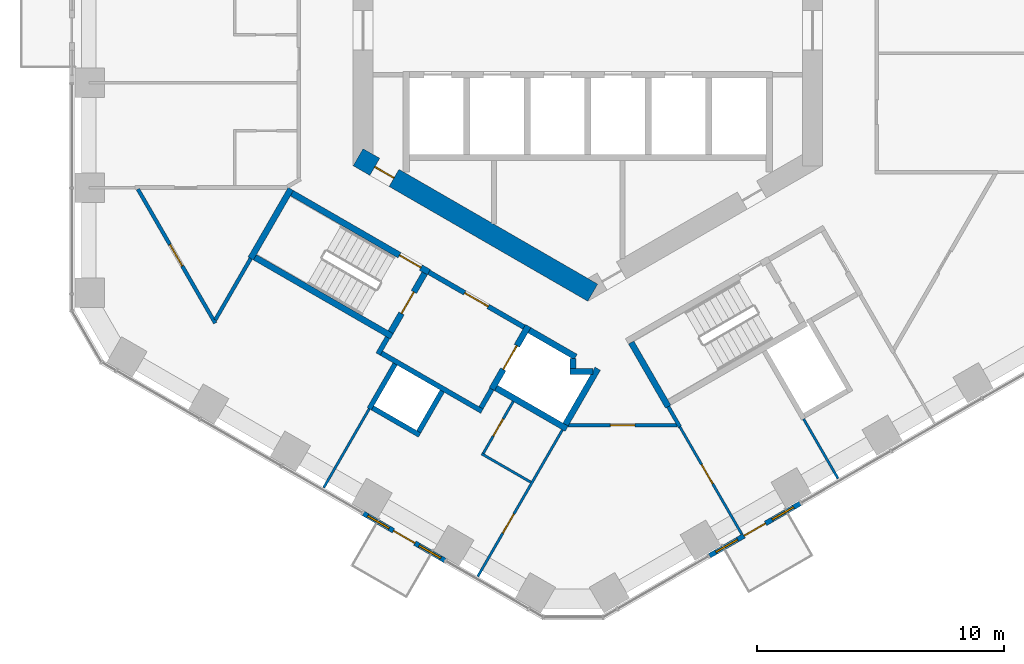
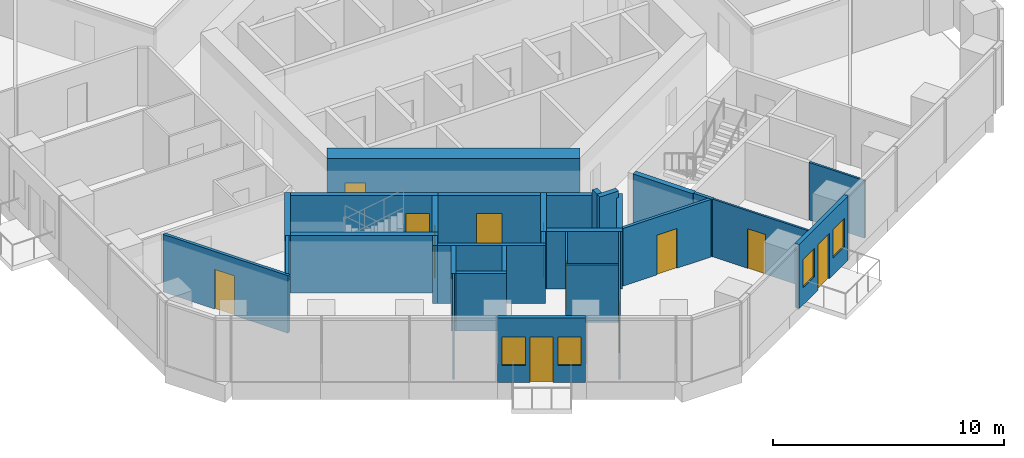
# One storey, part 13 of 20: 31 walls, 12 doors, 4 windows, 16 openings.
"""IFC4 building model written with IfcOpenShell, lengths in metres."""

from ifc_helpers import new_model, si_unit, direction, frame, frame_2d, origin, place, context, subcontext, project, spatial, rectangle, extrude, material, layer, layer_set, type_object, element, fill, save


model = new_model("IFC4")

# Units and contexts
model_context = context("Model", 3, precision=1e-05, world=origin(), true_north=direction((0.0, 1.0)))
body_context = subcontext(model_context, "Body", "Model", "MODEL_VIEW")
ifc_project = project(units=[si_unit("LENGTHUNIT", "METRE"), si_unit("AREAUNIT", "SQUARE_METRE"), si_unit("VOLUMEUNIT", "CUBIC_METRE"), si_unit("PLANEANGLEUNIT", "RADIAN"), si_unit("MASSUNIT", "GRAM", prefix="KILO")], contexts=[model_context])

# Site, building, storey
site_placement = place(None, origin())
site = spatial("IfcSite", under=ifc_project, at=site_placement, CompositionType="ELEMENT")
building_placement = place(site_placement, origin())
building = spatial("IfcBuilding", under=site, at=building_placement, Name="Ayvan Gate Tower", CompositionType="ELEMENT")
storey_placement = place(building_placement, frame((0.0, 0.0, 59.5)))
storey = spatial("IfcBuildingStorey", under=building, at=storey_placement, Name="L15", CompositionType="ELEMENT", Elevation=59.5)

# Wall, openings, door, windows
ifc_material_1 = material(Name="Insulated metal panel wall")
ifc_layer_1 = layer(ifc_material_1, 0.199951171875)
ifc_layer_set_1 = layer_set([ifc_layer_1], Name="Insulated metal panel wall")
wall_type_1 = type_object("IfcWallType", Name="Balcony door wall 200", PredefinedType="SOLIDWALL", material=ifc_layer_set_1)
wall_1_placement = place(storey_placement, frame((-9.088134765625, -19.561279296875, 0.0), z_axis=(0.0, 0.0, 1.0), x_axis=(0.866035482435, -0.49998254286, 0.0)))
wall_1 = element("IfcWall", 1, at=wall_1_placement, inside=storey, type_object=wall_type_1, Name="EW:L15:4:3", PredefinedType="SOLIDWALL", context=body_context, shape_type="SweptSolid", body=[
    extrude(rectangle(XDim=3.819091796875, YDim=0.199951171875, at=frame_2d((1.90966796875, 0.0))), origin(), (0.0, 0.0, 1.0), 3.39990234375),
])
opening_1_placement = place(wall_1_placement, frame((1.409423828125, 0.0, 0.0)))
opening_1 = element("IfcOpeningElement", 2, at=opening_1_placement, cuts=wall_1, Name="Opening L15-D94", PredefinedType="OPENING", context=body_context, shape_type="SweptSolid", body=[
    extrude(rectangle(XDim=1.0, YDim=2.39990234375, at=frame_2d((0.5, 1.199951171875))), frame((0.0, 0.10986328125, 0.0), z_axis=(0.0, -1.0, 0.0), x_axis=(1.0, 0.0, 0.0)), (0.0, 0.0, 1.0), 0.219970703125),
])
opening_2_placement = place(wall_1_placement, frame((0.204833984375, 0.0, 0.89990234375)))
opening_2 = element("IfcOpeningElement", 3, at=opening_2_placement, cuts=wall_1, Name="Opening W-B1", PredefinedType="OPENING", context=body_context, shape_type="SweptSolid", body=[
    extrude(rectangle(XDim=1.0, YDim=1.5, at=frame_2d((0.5, 0.75))), frame((0.0, 0.10986328125, 0.0), z_axis=(0.0, -1.0, 0.0), x_axis=(1.0, 0.0, 0.0)), (0.0, 0.0, 1.0), 0.219970703125),
])
opening_3_placement = place(wall_1_placement, frame((2.6142578125, 0.0, 0.89990234375)))
opening_3 = element("IfcOpeningElement", 4, at=opening_3_placement, cuts=wall_1, Name="Opening W-B1", PredefinedType="OPENING", context=body_context, shape_type="SweptSolid", body=[
    extrude(rectangle(XDim=1.0, YDim=1.5, at=frame_2d((0.5, 0.75))), frame((0.0, 0.10986328125, 0.0), z_axis=(0.0, -1.0, 0.0), x_axis=(1.0, 0.0, 0.0)), (0.0, 0.0, 1.0), 0.219970703125),
])
ifc_material_2 = material(Name="Bronze anodised aluminium and clear glass", Category="aluminium")
door_type_1 = type_object("IfcDoorType", Name="Balcony door D-B", OperationType="SINGLE_SWING_RIGHT", PredefinedType="DOOR", material=ifc_material_2)
door_1_placement = place(opening_1_placement, origin())
door_1 = element("IfcDoor", 5, at=door_1_placement, inside=storey, type_object=door_type_1, Name="Balcony door BAL-L15-4", OperationType="SINGLE_SWING_RIGHT", OverallHeight=2.39990234375, OverallWidth=1.0, PredefinedType="DOOR", context=body_context, shape_type="SweptSolid", body=[
    extrude(rectangle(XDim=1.0, YDim=2.39990234375, at=frame_2d((0.5, 1.199951171875))), frame((0.0, 0.02490234375, 0.0), z_axis=(0.0, -1.0, 0.0), x_axis=(1.0, 0.0, 0.0)), (0.0, 0.0, 1.0), 0.050048828125),
])
fill(opening_1, door_1)
window_type = type_object("IfcWindowType", Name="Balcony side light W-B Z1", PartitioningType="SINGLE_PANEL", PredefinedType="WINDOW", material=ifc_material_2)
window_1_placement = place(opening_2_placement, origin())
window_1 = element("IfcWindow", 6, at=window_1_placement, inside=storey, type_object=window_type, Name="Balcony side light BAL-L15-4.1", OverallHeight=1.5, OverallWidth=1.0, PartitioningType="SINGLE_PANEL", PredefinedType="WINDOW", context=body_context, shape_type="SweptSolid", body=[
    extrude(rectangle(XDim=1.0, YDim=1.5, at=frame_2d((0.5, 0.75))), frame((0.0, 0.030029296875, 0.0), z_axis=(0.0, -1.0, 0.0), x_axis=(1.0, 0.0, 0.0)), (0.0, 0.0, 1.0), 0.06005859375),
])
fill(opening_2, window_1)
window_2_placement = place(opening_3_placement, origin())
window_2 = element("IfcWindow", 7, at=window_2_placement, inside=storey, type_object=window_type, Name="Balcony side light BAL-L15-4.2", OverallHeight=1.5, OverallWidth=1.0, PartitioningType="SINGLE_PANEL", PredefinedType="WINDOW", context=body_context, shape_type="SweptSolid", body=[
    extrude(rectangle(XDim=1.0, YDim=1.5, at=frame_2d((0.5, 0.75))), frame((0.0, 0.030029296875, 0.0), z_axis=(0.0, -1.0, 0.0), x_axis=(1.0, 0.0, 0.0)), (0.0, 0.0, 1.0), 0.06005859375),
])
fill(opening_3, window_2)

wall_2_placement = place(storey_placement, frame((4.923095703125, -21.280517578125, 0.0), z_axis=(0.0, 0.0, 1.0), x_axis=(0.866036396571, 0.499980959452, 0.0)))
wall_2 = element("IfcWall", 8, at=wall_2_placement, inside=storey, type_object=wall_type_1, Name="EW:L15:5:1", PredefinedType="SOLIDWALL", context=body_context, shape_type="SweptSolid", body=[
    extrude(rectangle(XDim=4.251220703125, YDim=0.199951171875, at=frame_2d((2.12548828125, 0.0))), origin(), (0.0, 0.0, 1.0), 3.39990234375),
])
opening_4_placement = place(wall_2_placement, frame((1.62548828125, 0.0, 0.0)))
opening_4 = element("IfcOpeningElement", 9, at=opening_4_placement, cuts=wall_2, Name="Opening L15-D95", PredefinedType="OPENING", context=body_context, shape_type="SweptSolid", body=[
    extrude(rectangle(XDim=1.0, YDim=2.39990234375, at=frame_2d((0.5, 1.199951171875))), frame((0.0, 0.10986328125, 0.0), z_axis=(0.0, -1.0, 0.0), x_axis=(1.0, 0.0, 0.0)), (0.0, 0.0, 1.0), 0.219970703125),
])
opening_5_placement = place(wall_2_placement, frame((0.312744140625, 0.0, 0.89990234375)))
opening_5 = element("IfcOpeningElement", 10, at=opening_5_placement, cuts=wall_2, Name="Opening W-B1", PredefinedType="OPENING", context=body_context, shape_type="SweptSolid", body=[
    extrude(rectangle(XDim=1.0, YDim=1.5, at=frame_2d((0.5, 0.75))), frame((0.0, 0.10986328125, 0.0), z_axis=(0.0, -1.0, 0.0), x_axis=(1.0, 0.0, 0.0)), (0.0, 0.0, 1.0), 0.219970703125),
])
opening_6_placement = place(wall_2_placement, frame((2.938232421875, 0.0, 0.89990234375)))
opening_6 = element("IfcOpeningElement", 11, at=opening_6_placement, cuts=wall_2, Name="Opening W-B1", PredefinedType="OPENING", context=body_context, shape_type="SweptSolid", body=[
    extrude(rectangle(XDim=1.0, YDim=1.5, at=frame_2d((0.5, 0.75))), frame((0.0, 0.10986328125, 0.0), z_axis=(0.0, -1.0, 0.0), x_axis=(1.0, 0.0, 0.0)), (0.0, 0.0, 1.0), 0.219970703125),
])
door_2_placement = place(opening_4_placement, origin())
door_2 = element("IfcDoor", 12, at=door_2_placement, inside=storey, type_object=door_type_1, Name="Balcony door BAL-L15-5", OperationType="SINGLE_SWING_RIGHT", OverallHeight=2.39990234375, OverallWidth=1.0, PredefinedType="DOOR", context=body_context, shape_type="SweptSolid", body=[
    extrude(rectangle(XDim=1.0, YDim=2.39990234375, at=frame_2d((0.5, 1.199951171875))), frame((0.0, 0.02490234375, 0.0), z_axis=(0.0, -1.0, 0.0), x_axis=(1.0, 0.0, 0.0)), (0.0, 0.0, 1.0), 0.050048828125),
])
fill(opening_4, door_2)
window_3_placement = place(opening_5_placement, origin())
window_3 = element("IfcWindow", 13, at=window_3_placement, inside=storey, type_object=window_type, Name="Balcony side light BAL-L15-5.1", OverallHeight=1.5, OverallWidth=1.0, PartitioningType="SINGLE_PANEL", PredefinedType="WINDOW", context=body_context, shape_type="SweptSolid", body=[
    extrude(rectangle(XDim=1.0, YDim=1.5, at=frame_2d((0.5, 0.75))), frame((0.0, 0.030029296875, 0.0), z_axis=(0.0, -1.0, 0.0), x_axis=(1.0, 0.0, 0.0)), (0.0, 0.0, 1.0), 0.06005859375),
])
fill(opening_5, window_3)
window_4_placement = place(opening_6_placement, origin())
window_4 = element("IfcWindow", 14, at=window_4_placement, inside=storey, type_object=window_type, Name="Balcony side light BAL-L15-5.2", OverallHeight=1.5, OverallWidth=1.0, PartitioningType="SINGLE_PANEL", PredefinedType="WINDOW", context=body_context, shape_type="SweptSolid", body=[
    extrude(rectangle(XDim=1.0, YDim=1.5, at=frame_2d((0.5, 0.75))), frame((0.0, 0.030029296875, 0.0), z_axis=(0.0, -1.0, 0.0), x_axis=(1.0, 0.0, 0.0)), (0.0, 0.0, 1.0), 0.06005859375),
])
fill(opening_6, window_4)

# Wall, opening, door
ifc_material_3 = material(Name="Concrete C70/85", Category="concrete")
ifc_layer_2 = layer(ifc_material_3, 0.800048828125)
ifc_layer_set_2 = layer_set([ifc_layer_2], Name="Concrete C70/85")
wall_type_2 = type_object("IfcWallType", Name="Core wall 800 C70/85", PredefinedType="SHEAR", material=ifc_layer_set_2)
wall_3_placement = place(storey_placement, frame((-9.300048828125, -5.138427734375, 0.0), z_axis=(0.0, 0.0, 1.0), x_axis=(0.866023993627, -0.500002442456, 0.0)))
wall_3 = element("IfcWall", 15, at=wall_3_placement, inside=storey, type_object=wall_type_2, Name="CORE-L15-4", PredefinedType="SHEAR", context=body_context, shape_type="SweptSolid", body=[
    extrude(rectangle(XDim=10.9697265625, YDim=0.800048828125, at=frame_2d((5.48486328125, 0.0))), origin(), (0.0, 0.0, 1.0), 3.39990234375),
])
opening_7_placement = place(wall_3_placement, frame((0.779541015625, 0.0, 0.0)))
opening_7 = element("IfcOpeningElement", 16, at=opening_7_placement, cuts=wall_3, Name="Opening L15-D99", PredefinedType="OPENING", context=body_context, shape_type="SweptSolid", body=[
    extrude(rectangle(XDim=0.89990234375, YDim=2.10009765625, at=frame_2d((0.449951171875, 1.050048828125))), frame((0.0, 0.409912109375, 0.0), z_axis=(0.0, -1.0, 0.0), x_axis=(1.0, 0.0, 0.0)), (0.0, 0.0, 1.0), 0.820068359375),
])
ifc_material_4 = material(Name="Timber door leaf", Category="wood")
door_type_2 = type_object("IfcDoorType", Name="DT-900", OperationType="NOTDEFINED", PredefinedType="DOOR", material=ifc_material_4)
door_3_placement = place(opening_7_placement, origin())
door_3 = element("IfcDoor", 17, at=door_3_placement, inside=storey, type_object=door_type_2, Name="CD-L15-99", OperationType="SINGLE_SWING_RIGHT", OverallHeight=2.10009765625, OverallWidth=0.89990234375, PredefinedType="DOOR", context=body_context, shape_type="SweptSolid", body=[
    extrude(rectangle(XDim=0.89990234375, YDim=2.10009765625, at=frame_2d((0.449951171875, 1.050048828125))), frame((0.0, 0.02490234375, 0.0), z_axis=(0.0, -1.0, 0.0), x_axis=(1.0, 0.0, 0.0)), (0.0, 0.0, 1.0), 0.050048828125),
])
fill(opening_7, door_3)

ifc_material_5 = material(Name="Plasterboard on steel stud", Category="steel")
ifc_layer_3 = layer(ifc_material_5, 0.14990234375)
ifc_layer_set_3 = layer_set([ifc_layer_3], Name="Plasterboard on steel stud")
wall_type_3 = type_object("IfcWallType", Name="WT-CORR-150", PredefinedType="PARTITIONING", material=ifc_layer_set_3)
wall_4_placement = place(storey_placement, frame((-15.085205078125, -11.858154296875, 0.0), z_axis=(0.0, 0.0, 1.0), x_axis=(-0.500019233215, 0.866014299198, 0.0)))
wall_4 = element("IfcWall", 18, at=wall_4_placement, inside=storey, type_object=wall_type_3, Name="IW-L15-005", PredefinedType="PARTITIONING", context=body_context, shape_type="SweptSolid", body=[
    extrude(rectangle(XDim=6.266357421875, YDim=0.14990234375, at=frame_2d((3.13330078125, 0.0))), origin(), (0.0, 0.0, 1.0), 3.050048828125),
])
opening_8_placement = place(wall_4_placement, frame((2.670654296875, 0.0, 0.0)))
opening_8 = element("IfcOpeningElement", 19, at=opening_8_placement, cuts=wall_4, Name="Opening L15-D29", PredefinedType="OPENING", context=body_context, shape_type="SweptSolid", body=[
    extrude(rectangle(XDim=1.0, YDim=2.10009765625, at=frame_2d((0.5, 1.050048828125))), frame((0.0, 0.0849609375, 0.0), z_axis=(0.0, -1.0, 0.0), x_axis=(1.0, 0.0, 0.0)), (0.0, 0.0, 1.0), 0.169921875),
])
door_type_3 = type_object("IfcDoorType", Name="DT-1000", OperationType="NOTDEFINED", PredefinedType="DOOR", material=ifc_material_4)
door_4_placement = place(opening_8_placement, origin())
door_4 = element("IfcDoor", 20, at=door_4_placement, inside=storey, type_object=door_type_3, Name="ID-L15-029", OperationType="SINGLE_SWING_RIGHT", OverallHeight=2.10009765625, OverallWidth=1.0, PredefinedType="DOOR", context=body_context, shape_type="SweptSolid", body=[
    extrude(rectangle(XDim=1.0, YDim=2.10009765625, at=frame_2d((0.5, 1.050048828125))), frame((0.0, 0.02490234375, 0.0), z_axis=(0.0, -1.0, 0.0), x_axis=(1.0, 0.0, 0.0)), (0.0, 0.0, 1.0), 0.050048828125),
])
fill(opening_8, door_4)

# Walls
wall_5_placement = place(storey_placement, frame((-13.647705078125, -9.23876953125, 0.0), z_axis=(0.0, 0.0, 1.0), x_axis=(-0.500048363171, -0.865997479494, 0.0)))
element("IfcWall", 21, at=wall_5_placement, inside=storey, type_object=wall_type_3, Name="IW-L15-012", PredefinedType="PARTITIONING", context=body_context, shape_type="SweptSolid", body=[
    extrude(rectangle(XDim=2.874755859375, YDim=0.14990234375, at=frame_2d((1.4375, 0.0))), origin(), (0.0, 0.0, 1.0), 3.050048828125),
])
wall_6_placement = place(storey_placement, frame((3.255615234375, -15.23876953125, 0.0), z_axis=(0.0, 0.0, 1.0), x_axis=(0.499886281871, -0.866091049023, 0.0)))
element("IfcWall", 22, at=wall_6_placement, inside=storey, type_object=wall_type_3, Name="IW-L15-075", PredefinedType="PARTITIONING", context=body_context, shape_type="SweptSolid", body=[
    extrude(rectangle(XDim=0.946044921875, YDim=0.14990234375, at=frame_2d((0.47314453125, 0.0))), origin(), (0.0, 0.0, 1.0), 3.050048828125),
])

# Wall, opening, door
wall_7_placement = place(storey_placement, frame((3.6162109375, -15.993408203125, 0.0), z_axis=(0.0, 0.0, 1.0), x_axis=(-1.0, 0.0, 0.0)))
wall_7 = element("IfcWall", 23, at=wall_7_placement, inside=storey, type_object=wall_type_3, Name="IW-L15-078", PredefinedType="PARTITIONING", context=body_context, shape_type="SweptSolid", body=[
    extrude(rectangle(XDim=4.4111328125, YDim=0.14990234375, at=frame_2d((2.20556640625, 0.0))), origin(), (0.0, 0.0, 1.0), 3.050048828125),
])
opening_9_placement = place(wall_7_placement, frame((1.70556640625, 0.0, 0.0)))
opening_9 = element("IfcOpeningElement", 24, at=opening_9_placement, cuts=wall_7, Name="Opening L15-D30", PredefinedType="OPENING", context=body_context, shape_type="SweptSolid", body=[
    extrude(rectangle(XDim=1.0, YDim=2.10009765625, at=frame_2d((0.5, 1.050048828125))), frame((0.0, 0.0849609375, 0.0), z_axis=(0.0, -1.0, 0.0), x_axis=(1.0, 0.0, 0.0)), (0.0, 0.0, 1.0), 0.169921875),
])
door_5_placement = place(opening_9_placement, origin())
door_5 = element("IfcDoor", 25, at=door_5_placement, inside=storey, type_object=door_type_3, Name="ID-L15-030", OperationType="SINGLE_SWING_LEFT", OverallHeight=2.10009765625, OverallWidth=1.0, PredefinedType="DOOR", context=body_context, shape_type="SweptSolid", body=[
    extrude(rectangle(XDim=1.0, YDim=2.10009765625, at=frame_2d((0.5, 1.050048828125))), frame((0.0, 0.02490234375, 0.0), z_axis=(0.0, -1.0, 0.0), x_axis=(1.0, 0.0, 0.0)), (0.0, 0.0, 1.0), 0.050048828125),
])
fill(opening_9, door_5)

# Walls
ifc_layer_4 = layer(ifc_material_5, 0.10009765625)
ifc_layer_set_4 = layer_set([ifc_layer_4], Name="Plasterboard on steel stud")
wall_type_4 = type_object("IfcWallType", Name="WT-PART-100", PredefinedType="PARTITIONING", material=ifc_layer_set_4)
wall_8_placement = place(storey_placement, frame((-10.690185546875, -18.51611328125, 0.0), z_axis=(0.0, 0.0, 1.0), x_axis=(0.499955964762, 0.866050826049, 0.0)))
element("IfcWall", 26, at=wall_8_placement, inside=storey, type_object=wall_type_4, Name="IW-L15-025", PredefinedType="PARTITIONING", context=body_context, shape_type="SweptSolid", body=[
    extrude(rectangle(XDim=3.680419921875, YDim=0.10009765625, at=frame_2d((1.84033203125, 0.0))), origin(), (0.0, 0.0, 1.0), 3.050048828125),
])
wall_9_placement = place(storey_placement, frame((-4.2998046875, -17.1474609375, 0.0), z_axis=(0.0, 0.0, 1.0), x_axis=(0.866053019151, -0.499952165731, 0.0)))
element("IfcWall", 27, at=wall_9_placement, inside=storey, type_object=wall_type_4, Name="IW-L15-041", PredefinedType="PARTITIONING", context=body_context, shape_type="SweptSolid", body=[
    extrude(rectangle(XDim=2.300048828125, YDim=0.10009765625, at=frame_2d((1.14990234375, 0.0))), origin(), (0.0, 0.0, 1.0), 3.050048828125),
])

# Wall, opening, door
wall_10_placement = place(storey_placement, frame((-4.454833984375, -22.1162109375, 0.0), z_axis=(0.0, 0.0, 1.0), x_axis=(0.499984476993, 0.866034365811, 0.0)))
wall_10 = element("IfcWall", 28, at=wall_10_placement, inside=storey, type_object=wall_type_4, Name="IW-L15-042", PredefinedType="PARTITIONING", context=body_context, shape_type="SweptSolid", body=[
    extrude(rectangle(XDim=6.855712890625, YDim=0.10009765625, at=frame_2d((3.427734375, 0.0))), origin(), (0.0, 0.0, 1.0), 3.050048828125),
])
opening_10_placement = place(wall_10_placement, frame((2.023193359375, 0.0, 0.0)))
opening_10 = element("IfcOpeningElement", 29, at=opening_10_placement, cuts=wall_10, Name="Opening L15-D31", PredefinedType="OPENING", context=body_context, shape_type="SweptSolid", body=[
    extrude(rectangle(XDim=0.89990234375, YDim=2.10009765625, at=frame_2d((0.449951171875, 1.050048828125))), frame((0.0, 0.06005859375, 0.0), z_axis=(0.0, -1.0, 0.0), x_axis=(1.0, 0.0, 0.0)), (0.0, 0.0, 1.0), 0.1201171875),
])
door_6_placement = place(opening_10_placement, origin())
door_6 = element("IfcDoor", 30, at=door_6_placement, inside=storey, type_object=door_type_2, Name="ID-L15-031", OperationType="SINGLE_SWING_RIGHT", OverallHeight=2.10009765625, OverallWidth=0.89990234375, PredefinedType="DOOR", context=body_context, shape_type="SweptSolid", body=[
    extrude(rectangle(XDim=0.89990234375, YDim=2.10009765625, at=frame_2d((0.449951171875, 1.050048828125))), frame((0.0, 0.02490234375, 0.0), z_axis=(0.0, -1.0, 0.0), x_axis=(1.0, 0.0, 0.0)), (0.0, 0.0, 1.0), 0.050048828125),
])
fill(opening_10, door_6)

wall_11_placement = place(storey_placement, frame((-3.01904296875, -15.029052734375, 0.0), z_axis=(0.0, 0.0, 1.0), x_axis=(-0.499972286653, -0.866041403502, 0.0)))
wall_11 = element("IfcWall", 31, at=wall_11_placement, inside=storey, type_object=wall_type_4, Name="IW-L15-046", PredefinedType="PARTITIONING", context=body_context, shape_type="SweptSolid", body=[
    extrude(rectangle(XDim=2.425048828125, YDim=0.10009765625, at=frame_2d((1.21240234375, 0.0))), origin(), (0.0, 0.0, 1.0), 3.050048828125),
])
opening_11_placement = place(wall_11_placement, frame((0.8125, 0.0, 0.0)))
opening_11 = element("IfcOpeningElement", 32, at=opening_11_placement, cuts=wall_11, Name="Opening L15-D32", PredefinedType="OPENING", context=body_context, shape_type="SweptSolid", body=[
    extrude(rectangle(XDim=0.800048828125, YDim=2.10009765625, at=frame_2d((0.39990234375, 1.050048828125))), frame((0.0, 0.06005859375, 0.0), z_axis=(0.0, -1.0, 0.0), x_axis=(1.0, 0.0, 0.0)), (0.0, 0.0, 1.0), 0.1201171875),
])
door_type_4 = type_object("IfcDoorType", Name="DT-800", OperationType="NOTDEFINED", PredefinedType="DOOR", material=ifc_material_4)
door_7_placement = place(opening_11_placement, origin())
door_7 = element("IfcDoor", 33, at=door_7_placement, inside=storey, type_object=door_type_4, Name="ID-L15-032", OperationType="SINGLE_SWING_LEFT", OverallHeight=2.10009765625, OverallWidth=0.800048828125, PredefinedType="DOOR", context=body_context, shape_type="SweptSolid", body=[
    extrude(rectangle(XDim=0.800048828125, YDim=2.10009765625, at=frame_2d((0.39990234375, 1.050048828125))), frame((0.0, 0.02490234375, 0.0), z_axis=(0.0, -1.0, 0.0), x_axis=(1.0, 0.0, 0.0)), (0.0, 0.0, 1.0), 0.050048828125),
])
fill(opening_11, door_7)

wall_12_placement = place(storey_placement, frame((3.728515625, -16.05810546875, 0.0), z_axis=(0.0, 0.0, 1.0), x_axis=(0.50000754391, -0.866021048262, 0.0)))
wall_12 = element("IfcWall", 34, at=wall_12_placement, inside=storey, type_object=wall_type_4, Name="IW-L15-079", PredefinedType="PARTITIONING", context=body_context, shape_type="SweptSolid", body=[
    extrude(rectangle(XDim=5.01611328125, YDim=0.10009765625, at=frame_2d((2.508056640625, 0.0))), origin(), (0.0, 0.0, 1.0), 3.050048828125),
])
opening_12_placement = place(wall_12_placement, frame((1.760009765625, 0.0, 0.0)))
opening_12 = element("IfcOpeningElement", 35, at=opening_12_placement, cuts=wall_12, Name="Opening L15-D33", PredefinedType="OPENING", context=body_context, shape_type="SweptSolid", body=[
    extrude(rectangle(XDim=0.89990234375, YDim=2.10009765625, at=frame_2d((0.449951171875, 1.050048828125))), frame((0.0, 0.06005859375, 0.0), z_axis=(0.0, -1.0, 0.0), x_axis=(1.0, 0.0, 0.0)), (0.0, 0.0, 1.0), 0.1201171875),
])
door_8_placement = place(opening_12_placement, origin())
door_8 = element("IfcDoor", 36, at=door_8_placement, inside=storey, type_object=door_type_2, Name="ID-L15-033", OperationType="SINGLE_SWING_RIGHT", OverallHeight=2.10009765625, OverallWidth=0.89990234375, PredefinedType="DOOR", context=body_context, shape_type="SweptSolid", body=[
    extrude(rectangle(XDim=0.89990234375, YDim=2.10009765625, at=frame_2d((0.449951171875, 1.050048828125))), frame((0.0, 0.02490234375, 0.0), z_axis=(0.0, -1.0, 0.0), x_axis=(1.0, 0.0, 0.0)), (0.0, 0.0, 1.0), 0.050048828125),
])
fill(opening_12, door_8)

# Walls
wall_13_placement = place(storey_placement, frame((8.739990234375, -15.73828125, 0.0), z_axis=(0.0, 0.0, 1.0), x_axis=(0.500048472683, -0.865997416259, 0.0)))
element("IfcWall", 37, at=wall_13_placement, inside=storey, type_object=wall_type_4, Name="IW-L15-096", PredefinedType="PARTITIONING", context=body_context, shape_type="SweptSolid", body=[
    extrude(rectangle(XDim=2.787353515625, YDim=0.10009765625, at=frame_2d((1.3935546875, 0.0))), origin(), (0.0, 0.0, 1.0), 3.050048828125),
])
ifc_layer_5 = layer(ifc_material_5, 0.199951171875)
ifc_layer_set_5 = layer_set([ifc_layer_5], Name="Plasterboard on steel stud")
wall_type_5 = type_object("IfcWallType", Name="WT-PLUMB-200", PredefinedType="PLUMBINGWALL", material=ifc_layer_set_5)
wall_14_placement = place(storey_placement, frame((-8.85009765625, -15.32861328125, 0.0), z_axis=(0.0, 0.0, 1.0), x_axis=(0.500027713859, 0.866009402589, 0.0)))
element("IfcWall", 38, at=wall_14_placement, inside=storey, type_object=wall_type_5, Name="IW-L15-021", PredefinedType="PLUMBINGWALL", context=body_context, shape_type="SweptSolid", body=[
    extrude(rectangle(XDim=2.10009765625, YDim=0.199951171875, at=frame_2d((1.050048828125, 0.0))), origin(), (0.0, 0.0, 1.0), 3.050048828125),
])
wall_15_placement = place(storey_placement, frame((-6.80810546875, -16.39208984375, 0.0), z_axis=(0.0, 0.0, 1.0), x_axis=(-0.866008176907, 0.50002983664, 0.0)))
element("IfcWall", 39, at=wall_15_placement, inside=storey, type_object=wall_type_5, Name="IW-L15-032", PredefinedType="PLUMBINGWALL", context=body_context, shape_type="SweptSolid", body=[
    extrude(rectangle(XDim=2.199951171875, YDim=0.199951171875, at=frame_2d((1.10009765625, 0.0))), origin(), (0.0, 0.0, 1.0), 3.050048828125),
])
wall_16_placement = place(storey_placement, frame((-5.894775390625, -14.610107421875, 0.0), z_axis=(0.0, 0.0, 1.0), x_axis=(-0.500022797313, -0.86601224135, 0.0)))
element("IfcWall", 40, at=wall_16_placement, inside=storey, type_object=wall_type_5, Name="IW-L15-035", PredefinedType="PLUMBINGWALL", context=body_context, shape_type="SweptSolid", body=[
    extrude(rectangle(XDim=1.89990234375, YDim=0.199951171875, at=frame_2d((0.949951171875, 0.0))), origin(), (0.0, 0.0, 1.0), 3.050048828125),
])
ifc_layer_6 = layer(ifc_material_5, 0.199951171875)
ifc_layer_set_6 = layer_set([ifc_layer_6], Name="Plasterboard on steel stud")
wall_type_6 = type_object("IfcWallType", Name="WT-RATED-200", PredefinedType="PARTITIONING", material=ifc_layer_set_6)
wall_17_placement = place(storey_placement, frame((-8.492919921875, -13.110107421875, 0.0), z_axis=(0.0, 0.0, 1.0), x_axis=(0.500067724834, 0.865986299303, 0.0)))
element("IfcWall", 41, at=wall_17_placement, inside=storey, type_object=wall_type_6, Name="IW-L15-023", PredefinedType="PARTITIONING", context=body_context, shape_type="SweptSolid", body=[
    extrude(rectangle(XDim=0.775390625, YDim=0.199951171875, at=frame_2d((0.3876953125, 0.0))), origin(), (0.0, 0.0, 1.0), 3.050048828125),
])
wall_18_placement = place(storey_placement, frame((-8.356201171875, -13.073486328125, 0.0), z_axis=(0.0, 0.0, 1.0), x_axis=(0.866038532462, -0.499977259774, 0.0)))
element("IfcWall", 42, at=wall_18_placement, inside=storey, type_object=wall_type_6, Name="IW-L15-026", PredefinedType="PARTITIONING", context=body_context, shape_type="SweptSolid", body=[
    extrude(rectangle(XDim=4.699951171875, YDim=0.199951171875, at=frame_2d((2.35009765625, 0.0))), origin(), (0.0, 0.0, 1.0), 3.050048828125),
])

# Wall, opening, door
wall_19_placement = place(storey_placement, frame((-6.4345703125, -9.794921875, 0.0), z_axis=(0.0, 0.0, 1.0), x_axis=(0.866012907634, -0.500021643343, 0.0)))
wall_19 = element("IfcWall", 43, at=wall_19_placement, inside=storey, type_object=wall_type_6, Name="IW-L15-034", PredefinedType="PARTITIONING", context=body_context, shape_type="SweptSolid", body=[
    extrude(rectangle(XDim=4.449951171875, YDim=0.199951171875, at=frame_2d((2.22509765625, 0.0))), origin(), (0.0, 0.0, 1.0), 3.050048828125),
])
opening_13_placement = place(wall_19_placement, frame((1.675048828125, 0.0, 0.0)))
opening_13 = element("IfcOpeningElement", 44, at=opening_13_placement, cuts=wall_19, Name="Opening L15-D12", PredefinedType="OPENING", context=body_context, shape_type="SweptSolid", body=[
    extrude(rectangle(XDim=1.10009765625, YDim=2.10009765625, at=frame_2d((0.550048828125, 1.050048828125))), frame((0.0, 0.10986328125, 0.0), z_axis=(0.0, -1.0, 0.0), x_axis=(1.0, 0.0, 0.0)), (0.0, 0.0, 1.0), 0.219970703125),
])
door_type_5 = type_object("IfcDoorType", Name="DT-1100", OperationType="NOTDEFINED", PredefinedType="DOOR", material=ifc_material_4)
door_9_placement = place(opening_13_placement, origin())
door_9 = element("IfcDoor", 45, at=door_9_placement, inside=storey, type_object=door_type_5, Name="ID-L15-012", OperationType="SINGLE_SWING_LEFT", OverallHeight=2.10009765625, OverallWidth=1.10009765625, PredefinedType="DOOR", context=body_context, shape_type="SweptSolid", body=[
    extrude(rectangle(XDim=1.10009765625, YDim=2.10009765625, at=frame_2d((0.550048828125, 1.050048828125))), frame((0.0, 0.02490234375, 0.0), z_axis=(0.0, -1.0, 0.0), x_axis=(1.0, 0.0, 0.0)), (0.0, 0.0, 1.0), 0.050048828125),
])
fill(opening_13, door_9)

# Walls
wall_20_placement = place(storey_placement, frame((-3.885009765625, -14.52880859375, 0.0), z_axis=(0.0, 0.0, 1.0), x_axis=(-0.499859285417, -0.866106630146, 0.0)))
element("IfcWall", 46, at=wall_20_placement, inside=storey, type_object=wall_type_6, Name="IW-L15-043", PredefinedType="PARTITIONING", context=body_context, shape_type="SweptSolid", body=[
    extrude(rectangle(XDim=0.875244140625, YDim=0.199951171875, at=frame_2d((0.4375, 0.0))), origin(), (0.0, 0.0, 1.0), 3.050048828125),
])
ifc_material_6 = material(Name="Concrete C50/60", Category="concrete")
ifc_layer_7 = layer(ifc_material_6, 0.25)
ifc_layer_set_7 = layer_set([ifc_layer_7], Name="Concrete C50/60")
wall_type_7 = type_object("IfcWallType", Name="WT-RC-250", PredefinedType="SHEAR", material=ifc_layer_set_7)
wall_21_placement = place(storey_placement, frame((-13.64794921875, -9.23876953125, 0.0), z_axis=(0.0, 0.0, 1.0), x_axis=(0.500017246033, 0.866015446554, 0.0)))
element("IfcWall", 47, at=wall_21_placement, inside=storey, type_object=wall_type_7, Name="IW-L15-011", PredefinedType="SHEAR", context=body_context, shape_type="SweptSolid", body=[
    extrude(rectangle(XDim=3.25, YDim=0.25, at=frame_2d((1.625, 0.0))), origin(), (0.0, 0.0, 1.0), 3.050048828125),
])

# Wall, opening, door
wall_22_placement = place(storey_placement, frame((-11.97705078125, -6.594970703125, 0.0), z_axis=(0.0, 0.0, 1.0), x_axis=(0.866025499775, -0.499999833739, 0.0)))
wall_22 = element("IfcWall", 48, at=wall_22_placement, inside=storey, type_object=wall_type_7, Name="IW-L15-015", PredefinedType="SHEAR", context=body_context, shape_type="SweptSolid", body=[
    extrude(rectangle(XDim=6.39990234375, YDim=0.25, at=frame_2d((3.199951171875, 0.0))), origin(), (0.0, 0.0, 1.0), 3.050048828125),
])
opening_14_placement = place(wall_22_placement, frame((5.02490234375, 0.0, 0.0)))
opening_14 = element("IfcOpeningElement", 49, at=opening_14_placement, cuts=wall_22, Name="Opening L15-D10", PredefinedType="OPENING", context=body_context, shape_type="SweptSolid", body=[
    extrude(rectangle(XDim=1.0, YDim=2.10009765625, at=frame_2d((0.5, 1.050048828125))), frame((0.0, 0.135009765625, 0.0), z_axis=(0.0, -1.0, 0.0), x_axis=(1.0, 0.0, 0.0)), (0.0, 0.0, 1.0), 0.27001953125),
])
door_10_placement = place(opening_14_placement, origin())
door_10 = element("IfcDoor", 50, at=door_10_placement, inside=storey, type_object=door_type_3, Name="ID-L15-010", OperationType="SINGLE_SWING_LEFT", OverallHeight=2.10009765625, OverallWidth=1.0, PredefinedType="DOOR", context=body_context, shape_type="SweptSolid", body=[
    extrude(rectangle(XDim=1.0, YDim=2.10009765625, at=frame_2d((0.5, 1.050048828125))), frame((0.0, 0.02490234375, 0.0), z_axis=(0.0, -1.0, 0.0), x_axis=(1.0, 0.0, 0.0)), (0.0, 0.0, 1.0), 0.050048828125),
])
fill(opening_14, door_10)

# Wall
wall_23_placement = place(storey_placement, frame((-7.9345703125, -12.39306640625, 0.0), z_axis=(0.0, 0.0, 1.0), x_axis=(-0.866025499775, 0.499999833739, 0.0)))
element("IfcWall", 51, at=wall_23_placement, inside=storey, type_object=wall_type_7, Name="IW-L15-024", PredefinedType="SHEAR", context=body_context, shape_type="SweptSolid", body=[
    extrude(rectangle(XDim=6.39990234375, YDim=0.25, at=frame_2d((3.199951171875, 0.0))), origin(), (0.0, 0.0, 1.0), 3.050048828125),
])

# Wall, opening, door
wall_24_placement = place(storey_placement, frame((-6.605224609375, -9.8408203125, 0.0), z_axis=(0.0, 0.0, 1.0), x_axis=(-0.499996545922, -0.866027397988, 0.0)))
wall_24 = element("IfcWall", 52, at=wall_24_placement, inside=storey, type_object=wall_type_7, Name="IW-L15-033", PredefinedType="SHEAR", context=body_context, shape_type="SweptSolid", body=[
    extrude(rectangle(XDim=2.75, YDim=0.25, at=frame_2d((1.375, 0.0))), origin(), (0.0, 0.0, 1.0), 3.050048828125),
])
opening_15_placement = place(wall_24_placement, frame((0.875, 0.0, 0.0)))
opening_15 = element("IfcOpeningElement", 53, at=opening_15_placement, cuts=wall_24, Name="Opening L15-D11", PredefinedType="OPENING", context=body_context, shape_type="SweptSolid", body=[
    extrude(rectangle(XDim=1.0, YDim=2.10009765625, at=frame_2d((0.5, 1.050048828125))), frame((0.0, 0.135009765625, 0.0), z_axis=(0.0, -1.0, 0.0), x_axis=(1.0, 0.0, 0.0)), (0.0, 0.0, 1.0), 0.27001953125),
])
door_11_placement = place(opening_15_placement, origin())
door_11 = element("IfcDoor", 54, at=door_11_placement, inside=storey, type_object=door_type_3, Name="ID-L15-011", OperationType="SINGLE_SWING_RIGHT", OverallHeight=2.10009765625, OverallWidth=1.0, PredefinedType="DOOR", context=body_context, shape_type="SweptSolid", body=[
    extrude(rectangle(XDim=1.0, YDim=2.10009765625, at=frame_2d((0.5, 1.050048828125))), frame((0.0, 0.02490234375, 0.0), z_axis=(0.0, -1.0, 0.0), x_axis=(1.0, 0.0, 0.0)), (0.0, 0.0, 1.0), 0.050048828125),
])
fill(opening_15, door_11)

wall_25_placement = place(storey_placement, frame((-2.409912109375, -11.97412109375, 0.0), z_axis=(0.0, 0.0, 1.0), x_axis=(-0.500001826776, -0.866024349092, 0.0)))
wall_25 = element("IfcWall", 55, at=wall_25_placement, inside=storey, type_object=wall_type_7, Name="IW-L15-050", PredefinedType="SHEAR", context=body_context, shape_type="SweptSolid", body=[
    extrude(rectangle(XDim=2.9501953125, YDim=0.25, at=frame_2d((1.47509765625, 0.0))), origin(), (0.0, 0.0, 1.0), 3.050048828125),
])
opening_16_placement = place(wall_25_placement, frame((0.925048828125, 0.0, 0.0)))
opening_16 = element("IfcOpeningElement", 56, at=opening_16_placement, cuts=wall_25, Name="Opening L15-LD-FF2", PredefinedType="OPENING", context=body_context, shape_type="SweptSolid", body=[
    extrude(rectangle(XDim=1.10009765625, YDim=2.10009765625, at=frame_2d((0.550048828125, 1.050048828125))), frame((0.0, 0.135009765625, 0.0), z_axis=(0.0, -1.0, 0.0), x_axis=(1.0, 0.0, 0.0)), (0.0, 0.0, 1.0), 0.27001953125),
])
ifc_material_7 = material(Name="Stainless steel landing door", Category="steel")
door_type_6 = type_object("IfcDoorType", Name="DT-LANDING-1100", OperationType="SLIDING_TO_LEFT", PredefinedType="DOOR", material=ifc_material_7)
door_12_placement = place(opening_16_placement, origin())
door_12 = element("IfcDoor", 57, at=door_12_placement, inside=storey, type_object=door_type_6, Name="ID-L15-013", OperationType="SLIDING_TO_LEFT", OverallHeight=2.10009765625, OverallWidth=1.10009765625, PredefinedType="DOOR", context=body_context, shape_type="SweptSolid", body=[
    extrude(rectangle(XDim=1.10009765625, YDim=2.10009765625, at=frame_2d((0.550048828125, 1.050048828125))), frame((0.0, 0.02490234375, 0.0), z_axis=(0.0, -1.0, 0.0), x_axis=(1.0, 0.0, 0.0)), (0.0, 0.0, 1.0), 0.050048828125),
])
fill(opening_16, door_12)

# Walls
wall_26_placement = place(storey_placement, frame((-2.3642578125, -12.14501953125, 0.0), z_axis=(0.0, 0.0, 1.0), x_axis=(0.86603892542, -0.499976579108, 0.0)))
element("IfcWall", 58, at=wall_26_placement, inside=storey, type_object=wall_type_7, Name="IW-L15-051", PredefinedType="SHEAR", context=body_context, shape_type="SweptSolid", body=[
    extrude(rectangle(XDim=2.162109375, YDim=0.25, at=frame_2d((1.0810546875, 0.0))), origin(), (0.0, 0.0, 1.0), 3.050048828125),
])
wall_27_placement = place(storey_placement, frame((-0.8564453125, -16.13330078125, 0.0), z_axis=(0.0, 0.0, 1.0), x_axis=(-0.866021716278, 0.500006386895, 0.0)))
element("IfcWall", 59, at=wall_27_placement, inside=storey, type_object=wall_type_7, Name="IW-L15-055", PredefinedType="SHEAR", context=body_context, shape_type="SweptSolid", body=[
    extrude(rectangle(XDim=3.2998046875, YDim=0.25, at=frame_2d((1.64990234375, 0.0))), origin(), (0.0, 0.0, 1.0), 3.050048828125),
])
wall_28_placement = place(storey_placement, frame((-0.902099609375, -15.96240234375, 0.0), z_axis=(0.0, 0.0, 1.0), x_axis=(0.499981517636, 0.866036074319, 0.0)))
element("IfcWall", 60, at=wall_28_placement, inside=storey, type_object=wall_type_7, Name="IW-L15-056", PredefinedType="SHEAR", context=body_context, shape_type="SweptSolid", body=[
    extrude(rectangle(XDim=2.6103515625, YDim=0.25, at=frame_2d((1.30517578125, 0.0))), origin(), (0.0, 0.0, 1.0), 3.050048828125),
])
wall_29_placement = place(storey_placement, frame((-0.72509765625, -13.81005859375, 0.0), z_axis=(0.0, 0.0, 1.0), x_axis=(1.0, 0.0, 0.0)))
element("IfcWall", 61, at=wall_29_placement, inside=storey, type_object=wall_type_7, Name="IW-L15-057", PredefinedType="SHEAR", context=body_context, shape_type="SweptSolid", body=[
    extrude(rectangle(XDim=0.940673828125, YDim=0.25, at=frame_2d((0.47021484375, 0.0))), origin(), (0.0, 0.0, 1.0), 3.39990234375),
])
wall_30_placement = place(storey_placement, frame((-0.60009765625, -13.28857421875, 0.0), z_axis=(0.0, 0.0, 1.0), x_axis=(0.0, -1.0, 0.0)))
element("IfcWall", 62, at=wall_30_placement, inside=storey, type_object=wall_type_7, Name="IW-L15-058", PredefinedType="SHEAR", context=body_context, shape_type="SweptSolid", body=[
    extrude(rectangle(XDim=0.396484375, YDim=0.25, at=frame_2d((0.1982421875, 0.0))), origin(), (0.0, 0.0, 1.0), 3.39990234375),
])
wall_31_placement = place(storey_placement, frame((3.255615234375, -15.23876953125, 0.0), z_axis=(0.0, 0.0, 1.0), x_axis=(-0.50002537861, 0.866010750942, 0.0)))
element("IfcWall", 63, at=wall_31_placement, inside=storey, type_object=wall_type_7, Name="IW-L15-076", PredefinedType="SHEAR", context=body_context, shape_type="SweptSolid", body=[
    extrude(rectangle(XDim=2.999755859375, YDim=0.25, at=frame_2d((1.5, 0.0))), origin(), (0.0, 0.0, 1.0), 3.050048828125),
])

save(model, "model.ifc")
